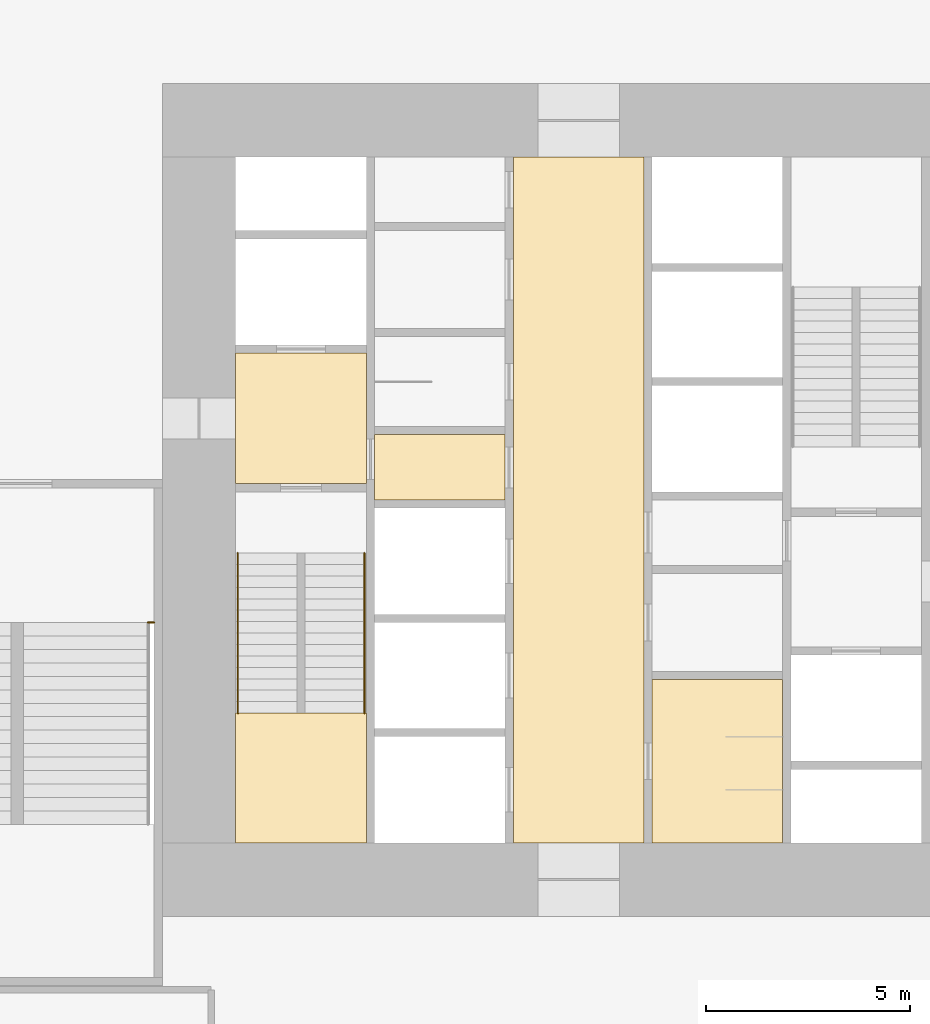
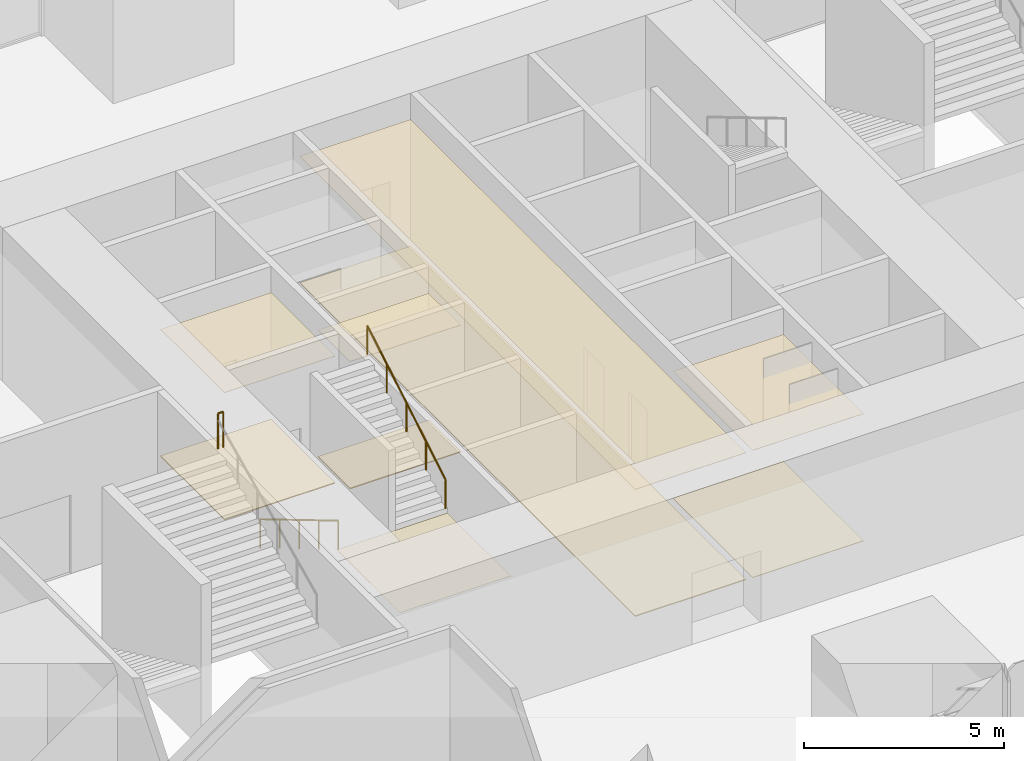
# One storey, part 20 of 23: 9 coverings, 3 railings.
"""IFC4 building model written with IfcOpenShell, lengths in metres."""

from ifc_helpers import new_model, si_unit, direction, frame, origin, origin_2d, place, context, subcontext, project, spatial, polyline, circle, outline, extrude, material, layer, layer_set, type_object, element, save


model = new_model("IFC4")

# Units and contexts
model_context = context("Model", 3, precision=1e-05, world=origin(), true_north=direction((0.0, 1.0)))
body_context = subcontext(model_context, "Body", "Model", "MODEL_VIEW")
ifc_project = project(units=[si_unit("LENGTHUNIT", "METRE"), si_unit("AREAUNIT", "SQUARE_METRE"), si_unit("VOLUMEUNIT", "CUBIC_METRE"), si_unit("PLANEANGLEUNIT", "RADIAN"), si_unit("MASSUNIT", "GRAM", prefix="KILO")], contexts=[model_context])

# Site, building, storey
site_placement = place(None, origin())
site = spatial("IfcSite", under=ifc_project, at=site_placement, CompositionType="ELEMENT")
building_placement = place(site_placement, origin())
building = spatial("IfcBuilding", under=site, at=building_placement, Name="Svetlomir Tower", CompositionType="ELEMENT")
storey_placement = place(building_placement, frame((0.0, 0.0, 6.0)))
storey = spatial("IfcBuildingStorey", under=building, at=storey_placement, Name="L01", CompositionType="ELEMENT", Elevation=6.0)

# Covering
ifc_material_1 = material(Name="Ceramic floor tile", Category="ceramic")
ifc_layer_1 = layer(ifc_material_1, 0.014892578125)
ifc_layer_set_1 = layer_set([ifc_layer_1], Name="Ceramic floor tile")
covering_type_1 = type_object("IfcCoveringType", Name="CERAMIC TILE FLOOR 15", PredefinedType="FLOORING", material=ifc_layer_set_1)
covering_1_placement = place(storey_placement, origin())
element("IfcCovering", 1, at=covering_1_placement, inside=storey, type_object=covering_type_1, Name="Floor finish L01-08", PredefinedType="FLOORING", context=body_context, shape_type="SweptSolid", body=[
    extrude(outline(polyline([(22.800048828125, 12.60009765625), (26.0, 12.60009765625), (26.0, 16.60009765625), (22.800048828125, 16.60009765625), (22.800048828125, 12.60009765625)])), origin(), (0.0, 0.0, 1.0), 0.014892578125),
])

# Railings
ifc_material_2 = material(Name="Stainless steel", Category="steel")
railing_type_1 = type_object("IfcRailingType", Name="HANDRAIL HR1 900", PredefinedType="HANDRAIL", material=ifc_material_2)
railing_1_placement = place(storey_placement, frame((12.64990234375, 19.699951171875, 0.166748046875)))
element("IfcRailing", 2, at=railing_1_placement, inside=storey, type_object=railing_type_1, Name="Handrail S1 flight 1 L01", PredefinedType="HANDRAIL", context=body_context, shape_type="SweptSolid", body=[
    extrude(circle(Radius=0.02392578125, at=origin_2d()), frame((0.0, 0.0, 0.8759765625), z_axis=(0.0, -0.859296244711, 0.511478214419), x_axis=(1.0, 0.0, 0.0)), (0.0, 0.0, 1.0), 4.561767578125),
    extrude(circle(Radius=0.02099609375, at=origin_2d()), origin(), (0.0, 0.0, 1.0), 0.851806640625),
    extrude(circle(Radius=0.02099609375, at=origin_2d()), frame((0.0, -0.97998046875, 0.583251953125)), (0.0, 0.0, 1.0), 0.851806640625),
    extrude(circle(Radius=0.02099609375, at=origin_2d()), frame((0.0, -1.9599609375, 1.16650390625)), (0.0, 0.0, 1.0), 0.851806640625),
    extrude(circle(Radius=0.02099609375, at=origin_2d()), frame((0.0, -2.93994140625, 1.75)), (0.0, 0.0, 1.0), 0.851806640625),
    extrude(circle(Radius=0.02099609375, at=origin_2d()), frame((0.0, -3.919921875, 2.333251953125)), (0.0, 0.0, 1.0), 0.851806640625),
])
railing_2_placement = place(storey_placement, frame((15.75, 15.780029296875, 2.666748046875)))
element("IfcRailing", 3, at=railing_2_placement, inside=storey, type_object=railing_type_1, Name="Handrail S1 flight 2 L01", PredefinedType="HANDRAIL", context=body_context, shape_type="SweptSolid", body=[
    extrude(circle(Radius=0.02392578125, at=origin_2d()), frame((0.0, 0.0, 0.8759765625), z_axis=(0.0, 0.859296244711, 0.511478214419), x_axis=(-1.0, 0.0, 0.0)), (0.0, 0.0, 1.0), 4.561767578125),
    extrude(circle(Radius=0.02099609375, at=origin_2d()), origin(), (0.0, 0.0, 1.0), 0.851806640625),
    extrude(circle(Radius=0.02099609375, at=origin_2d()), frame((0.0, 0.97998046875, 0.583251953125)), (0.0, 0.0, 1.0), 0.851806640625),
    extrude(circle(Radius=0.02099609375, at=origin_2d()), frame((0.0, 1.9599609375, 1.16650390625)), (0.0, 0.0, 1.0), 0.851806640625),
    extrude(circle(Radius=0.02099609375, at=origin_2d()), frame((0.0, 2.93994140625, 1.75)), (0.0, 0.0, 1.0), 0.851806640625),
    extrude(circle(Radius=0.02099609375, at=origin_2d()), frame((0.0, 3.919921875, 2.333251953125)), (0.0, 0.0, 1.0), 0.851806640625),
])

# Coverings
ifc_material_3 = material(Name="Moisture resistant plasterboard ceiling", Category="gypsum")
ifc_layer_2 = layer(ifc_material_3, 0.012451171875)
ifc_layer_set_2 = layer_set([ifc_layer_2], Name="Moisture resistant plasterboard ceiling")
covering_type_2 = type_object("IfcCoveringType", Name="MOISTURE RESISTANT CEILING 12.5", PredefinedType="CEILING", material=ifc_layer_set_2)
covering_2_placement = place(storey_placement, frame((0.0, 0.0, 3.887451171875)))
element("IfcCovering", 4, at=covering_2_placement, inside=storey, type_object=covering_type_2, Name="Ceiling L01-08", PredefinedType="CEILING", context=body_context, shape_type="SweptSolid", body=[
    extrude(outline(polyline([(22.800048828125, 12.60009765625), (26.0, 12.60009765625), (26.0, 16.60009765625), (22.800048828125, 16.60009765625), (22.800048828125, 12.60009765625)])), origin(), (0.0, 0.0, 1.0), 0.012451171875),
])
ifc_material_4 = material(Name="Gypsum plasterboard ceiling", Category="gypsum")
ifc_layer_3 = layer(ifc_material_4, 0.014892578125)
ifc_layer_set_3 = layer_set([ifc_layer_3], Name="Gypsum plasterboard ceiling")
covering_type_3 = type_object("IfcCoveringType", Name="PLASTERBOARD CEILING 15", PredefinedType="CEILING", material=ifc_layer_set_3)
covering_3_placement = place(storey_placement, frame((0.0, 0.0, 3.885009765625)))
element("IfcCovering", 5, at=covering_3_placement, inside=storey, type_object=covering_type_3, Name="Ceiling L01-02", PredefinedType="CEILING", context=body_context, shape_type="SweptSolid", body=[
    extrude(outline(polyline([(12.60009765625, 21.39990234375), (15.800048828125, 21.39990234375), (15.800048828125, 24.60009765625), (12.60009765625, 24.60009765625), (12.60009765625, 21.39990234375)])), origin(), (0.0, 0.0, 1.0), 0.014892578125),
])
covering_4_placement = place(storey_placement, frame((0.0, 0.0, 3.885009765625)))
element("IfcCovering", 6, at=covering_4_placement, inside=storey, type_object=covering_type_3, Name="Ceiling L01-03", PredefinedType="CEILING", context=body_context, shape_type="SweptSolid", body=[
    extrude(outline(polyline([(16.0, 21.0), (19.199951171875, 21.0), (19.199951171875, 22.60009765625), (16.0, 22.60009765625), (16.0, 21.0)])), origin(), (0.0, 0.0, 1.0), 0.014892578125),
])
covering_5_placement = place(storey_placement, frame((0.0, 0.0, 3.885009765625)))
element("IfcCovering", 7, at=covering_5_placement, inside=storey, type_object=covering_type_3, Name="Ceiling L01-07", PredefinedType="CEILING", context=body_context, shape_type="SweptSolid", body=[
    extrude(outline(polyline([(19.39990234375, 12.60009765625), (22.60009765625, 12.60009765625), (22.60009765625, 29.39990234375), (19.39990234375, 29.39990234375), (19.39990234375, 12.60009765625)])), origin(), (0.0, 0.0, 1.0), 0.014892578125),
])
ifc_material_5 = material(Name="Studded rubber floor finish", Category="rubber")
ifc_layer_4 = layer(ifc_material_5, 0.006103515625)
ifc_layer_set_4 = layer_set([ifc_layer_4], Name="Studded rubber floor finish")
covering_type_4 = type_object("IfcCoveringType", Name="RUBBER LANDING FINISH 6", PredefinedType="FLOORING", material=ifc_layer_set_4)
covering_6_placement = place(storey_placement, frame((0.0, 0.0, 2.5)))
element("IfcCovering", 8, at=covering_6_placement, inside=storey, type_object=covering_type_4, Name="Stair S1 landing finish L01", PredefinedType="FLOORING", context=body_context, shape_type="SweptSolid", body=[
    extrude(outline(polyline([(12.60009765625, 12.60009765625), (15.800048828125, 12.60009765625), (15.800048828125, 15.780029296875), (12.60009765625, 15.780029296875), (12.60009765625, 12.60009765625)])), origin(), (0.0, 0.0, 1.0), 0.006103515625),
])

# Railing
ifc_material_6 = material(Name="Painted steel balustrade", Category="steel")
railing_type_2 = type_object("IfcRailingType", Name="STAIR WELL GUARD GR3 1100", PredefinedType="GUARDRAIL", material=ifc_material_6)
railing_3_placement = place(storey_placement, frame((10.449951171875, 18.0, 5.0)))
element("IfcRailing", 9, at=railing_3_placement, inside=storey, type_object=railing_type_2, Name="Stair P1 slot guard 2 L01", PredefinedType="GUARDRAIL", context=body_context, shape_type="SweptSolid", body=[
    extrude(circle(Radius=0.02392578125, at=origin_2d()), frame((0.0, 0.0, 1.076171875), z_axis=(1.0, 0.0, 0.0), x_axis=(0.0, 1.0, 0.0)), (0.0, 0.0, 1.0), 0.150146484375),
    extrude(circle(Radius=0.02099609375, at=origin_2d()), origin(), (0.0, 0.0, 1.0), 1.052001953125),
    extrude(circle(Radius=0.02099609375, at=origin_2d()), frame((0.150146484375, 0.0, 0.0)), (0.0, 0.0, 1.0), 1.052001953125),
])

# Coverings
ifc_material_7 = material(Name="Bronze-aggregate terrazzo", Category="stone")
ifc_layer_5 = layer(ifc_material_7, 0.030029296875)
ifc_layer_set_5 = layer_set([ifc_layer_5], Name="Bronze-aggregate terrazzo")
covering_type_5 = type_object("IfcCoveringType", Name="TERRAZZO FLOOR 30", PredefinedType="FLOORING", material=ifc_layer_set_5)
covering_7_placement = place(storey_placement, origin())
element("IfcCovering", 10, at=covering_7_placement, inside=storey, type_object=covering_type_5, Name="Floor finish L01-02", PredefinedType="FLOORING", context=body_context, shape_type="SweptSolid", body=[
    extrude(outline(polyline([(12.60009765625, 21.39990234375), (15.800048828125, 21.39990234375), (15.800048828125, 24.60009765625), (12.60009765625, 24.60009765625), (12.60009765625, 21.39990234375)])), origin(), (0.0, 0.0, 1.0), 0.030029296875),
])
covering_8_placement = place(storey_placement, origin())
element("IfcCovering", 11, at=covering_8_placement, inside=storey, type_object=covering_type_5, Name="Floor finish L01-03", PredefinedType="FLOORING", context=body_context, shape_type="SweptSolid", body=[
    extrude(outline(polyline([(16.0, 21.0), (19.199951171875, 21.0), (19.199951171875, 22.60009765625), (16.0, 22.60009765625), (16.0, 21.0)])), origin(), (0.0, 0.0, 1.0), 0.030029296875),
])
covering_9_placement = place(storey_placement, origin())
element("IfcCovering", 12, at=covering_9_placement, inside=storey, type_object=covering_type_5, Name="Floor finish L01-07", PredefinedType="FLOORING", context=body_context, shape_type="SweptSolid", body=[
    extrude(outline(polyline([(19.39990234375, 12.60009765625), (22.60009765625, 12.60009765625), (22.60009765625, 29.39990234375), (19.39990234375, 29.39990234375), (19.39990234375, 12.60009765625)])), origin(), (0.0, 0.0, 1.0), 0.030029296875),
])

save(model, "model.ifc")
